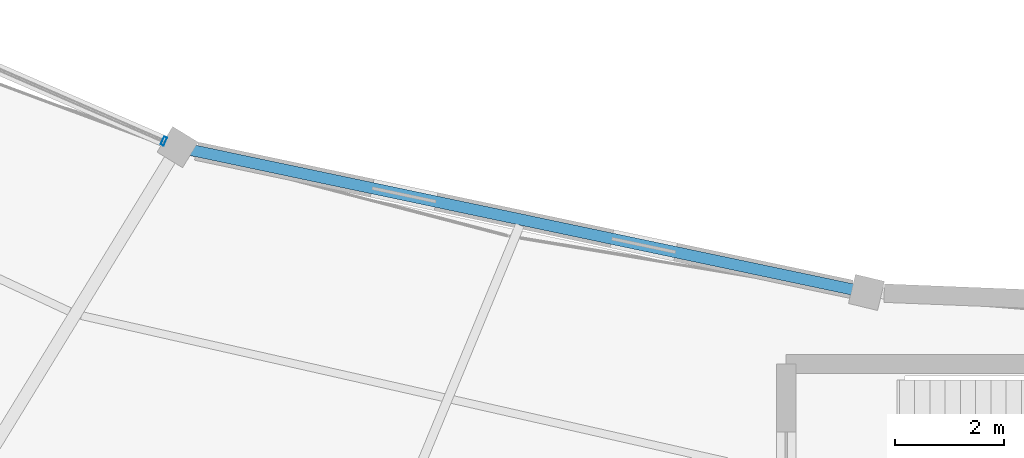
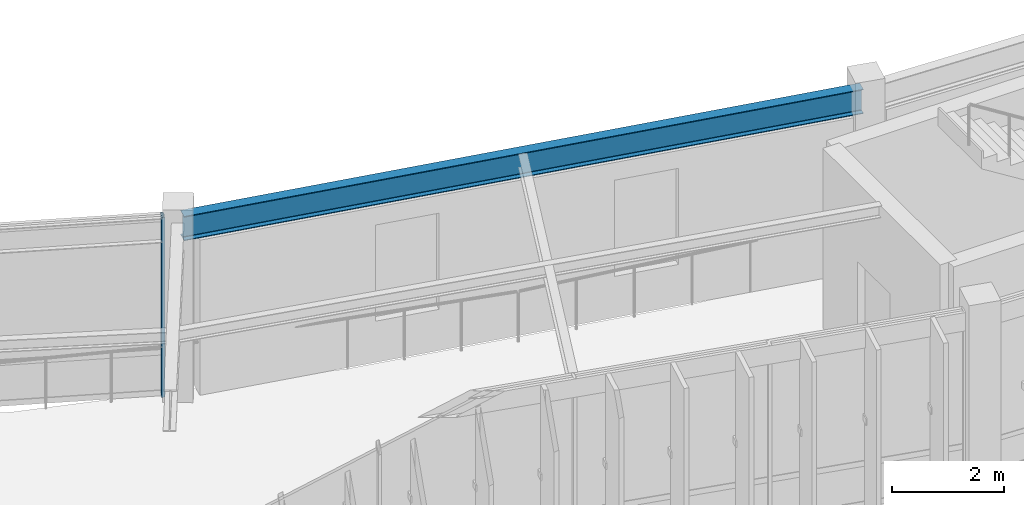
# One storey, part 27 of 83: 1 beam, 1 member, 1 element without a shape of its own.
"""IFC4 building model written with IfcOpenShell, lengths in metres."""

from ifc_helpers import new_model, si_unit, direction, frame, origin, origin_2d, place, context, subcontext, project, spatial, hollow_rectangle, i_section, extrude, material, material_profile, profile_set, type_object, element, aggregate, save


model = new_model("IFC4")

# Units and contexts
model_context = context("Model", 3, precision=1e-05, world=origin(), true_north=direction((0.0, 1.0)))
body_context = subcontext(model_context, "Body", "Model", "MODEL_VIEW")
ifc_project = project(units=[si_unit("LENGTHUNIT", "METRE"), si_unit("AREAUNIT", "SQUARE_METRE"), si_unit("VOLUMEUNIT", "CUBIC_METRE"), si_unit("PLANEANGLEUNIT", "RADIAN"), si_unit("MASSUNIT", "GRAM", prefix="KILO"), si_unit("THERMODYNAMICTEMPERATUREUNIT", "KELVIN"), si_unit("POWERUNIT", "WATT")], contexts=[model_context])

# Site, building, storey
site_placement = place(None, origin())
site = spatial("IfcSite", under=ifc_project, at=site_placement, CompositionType="ELEMENT")
building_placement = place(site_placement, origin())
building = spatial("IfcBuilding", under=site, at=building_placement, Name="Darbajah Civic Hall", CompositionType="ELEMENT")
storey_placement = place(building_placement, frame((0.0, 0.0, 18.0)))
storey = spatial("IfcBuildingStorey", under=building, at=storey_placement, Name="L04", CompositionType="ELEMENT", Elevation=18.0)

# Curtain wall, member
ifc_material_1 = material(Name="Anodised Bronze Aluminium and Low-E Glazing", Category="aluminium")
curtain_wall_type = type_object("IfcCurtainWallType", Name="Unitised Curtain Wall CW-39 10800x3900", PredefinedType="USERDEFINED", material=ifc_material_1)
curtain_wall_placement = place(storey_placement, origin())
curtain_wall = element("IfcCurtainWall", 1, at=curtain_wall_placement, inside=storey, type_object=curtain_wall_type, Name="L04 unitised curtain wall CW-V1I-L04-12", ObjectType="UNITISED CURTAIN WALL", PredefinedType="USERDEFINED")
ifc_material_2 = material(Name="Anodised Bronze Aluminium", Category="aluminium")
ifc_material_profile_1 = material_profile(ifc_material_2, hollow_rectangle(XDim=0.06005859375, YDim=0.159912109375, WallThickness=0.00341796875, at=origin_2d()), Name="ALU MULLION 60x160")
ifc_profile_set_1 = profile_set([ifc_material_profile_1], Name="Anodised Bronze Aluminium")
member_type = type_object("IfcMemberType", Name="ALU MULLION 60x160", PredefinedType="MULLION", material=ifc_profile_set_1)
member_placement = place(storey_placement, frame((65.960693359375, 70.896484375, 0.0), z_axis=(0.0, 0.0, 1.0), x_axis=(0.917060074385, -0.398749068925, 0.0)))
member = element("IfcMember", 2, at=member_placement, type_object=member_type, Name="CW-V1I-L04-12 mullion 4", PredefinedType="MULLION", context=body_context, shape_type="SweptSolid", body=[
    extrude(hollow_rectangle(XDim=0.06005859375, YDim=0.159912109375, WallThickness=0.00341796875, at=origin_2d()), origin(), (0.0, 0.0, 1.0), 3.919921875),
])
aggregate(curtain_wall, [member])

# Beam
ifc_material_3 = material(Name="Steel S355JR", Category="steel")
ifc_material_profile_2 = material_profile(ifc_material_3, i_section(OverallWidth=0.209228515625, OverallDepth=0.533203125, WebThickness=0.010009765625, FlangeThickness=0.015625, FilletRadius=0.0126953125, at=origin_2d()), Name="UB 533x210x92")
ifc_profile_set_2 = profile_set([ifc_material_profile_2], Name="Steel S355JR")
beam_type = type_object("IfcBeamType", Name="UB 533x210x92", PredefinedType="BEAM", material=ifc_profile_set_2)
beam_placement = place(storey_placement, frame((66.29296875, 70.76953125, 3.653564453125), z_axis=(0.97848162244, -0.206333987862, 0.0), x_axis=(0.206333987862, 0.97848162244, 0.0)))
element("IfcBeam", 3, at=beam_placement, inside=storey, type_object=beam_type, Name="L04 beam SB-533", PredefinedType="BEAM", context=body_context, shape_type="SweptSolid", body=[
    extrude(i_section(OverallWidth=0.209228515625, OverallDepth=0.533203125, WebThickness=0.010009765625, FlangeThickness=0.015625, FilletRadius=0.0126953125, at=origin_2d()), origin(), (0.0, 0.0, 1.0), 12.77880859375),
])

save(model, "model.ifc")
